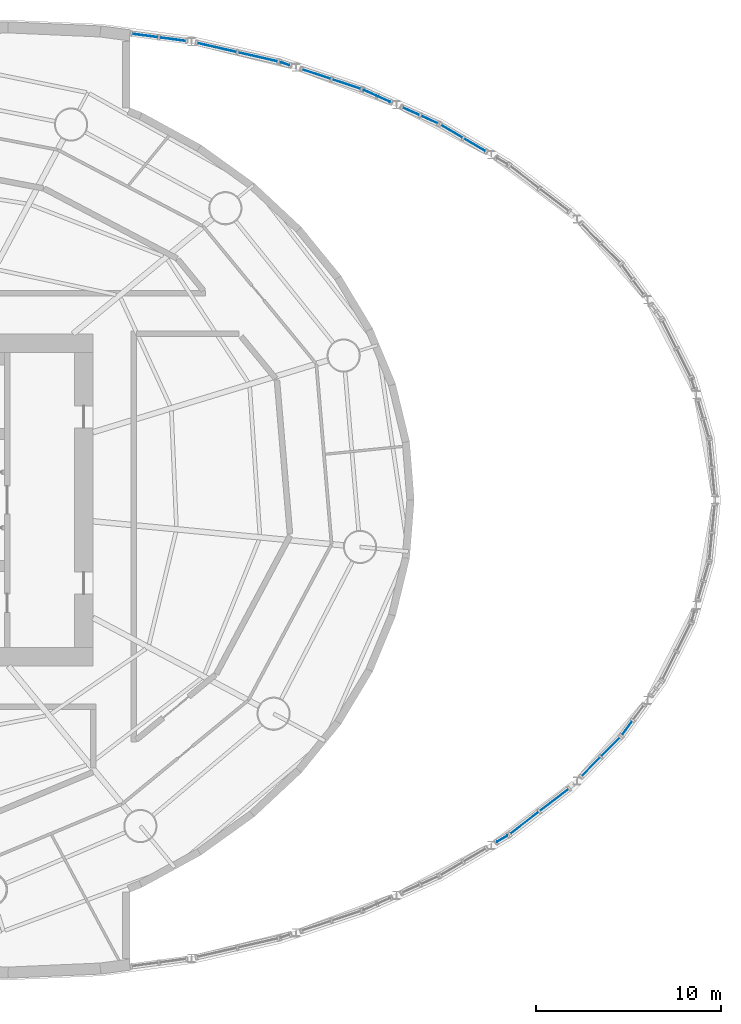
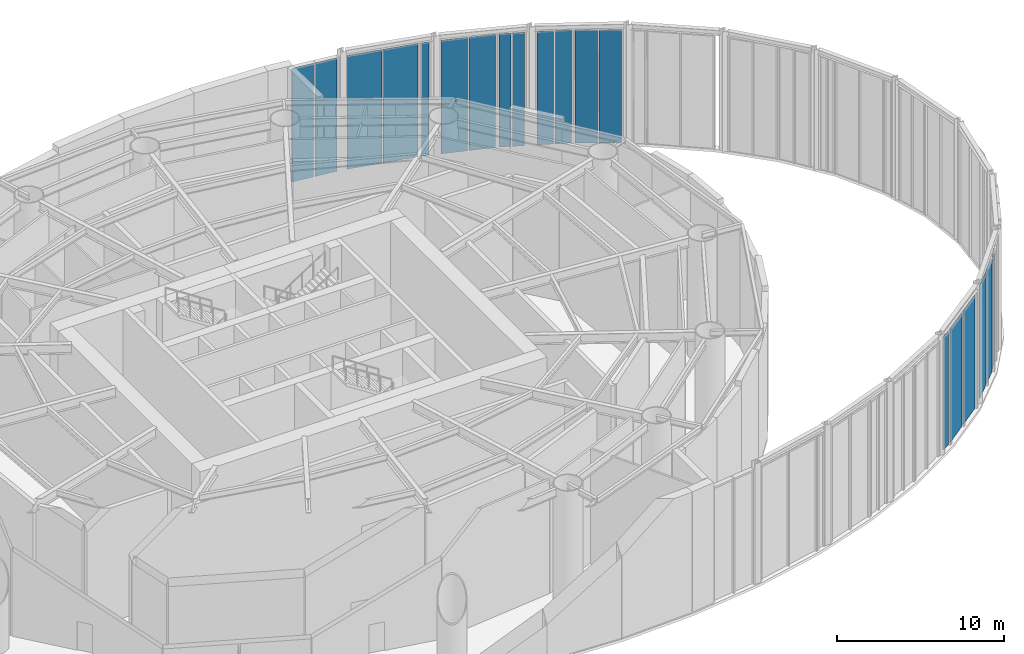
# One storey, part 12 of 19: 19 plates, 11 elements without a shape of their own.
"""IFC4 building model written with IfcOpenShell, lengths in metres."""

import ifcopenshell
import ifcopenshell.guid

model = None  # the IFC model being written
_history = None  # IfcOwnerHistory: only IFC2X3 demands one
_inside = {}  # id of a spatial element -> (the spatial element, [elements in it])
_under = {}  # id of a project, library or spatial element -> (it, [spatial elements below it])
_declared = {}  # id of a project -> (the project, [libraries it declares])
_typed = {}  # id of a type object -> (the type object, [elements of that type])
_made_of = {}  # id of a material, layer set ... -> (it, [elements and type objects made of it])


def new_model(schema):
    """Start an empty IFC model of exactly this schema.

    Asked for "IFC4X3", IfcOpenShell would pick the latest addendum, in which some entities
    have other attributes; the version numbers below select the first issue.
    IFC2X3 requires an IfcOwnerHistory on every rooted entity: one is made here for all.
    """
    global model, _history
    if schema == "IFC4X3":
        model = ifcopenshell.file(schema_version=(4, 3, 0, 0))
    else:
        model = ifcopenshell.file(schema=schema)
    _inside.clear()
    _under.clear()
    _declared.clear()
    _typed.clear()
    _made_of.clear()
    _history = None
    if model.schema == "IFC2X3":
        org = make("IfcOrganization", Name="unknown")
        user = make(
            "IfcPersonAndOrganization",
            ThePerson=make("IfcPerson", FamilyName="unknown"),
            TheOrganization=org,
        )
        app = make(
            "IfcApplication",
            ApplicationDeveloper=org,
            Version="unknown",
            ApplicationFullName="unknown",
            ApplicationIdentifier="unknown",
        )
        _history = make(
            "IfcOwnerHistory",
            OwningUser=user,
            OwningApplication=app,
            ChangeAction="ADDED",
            CreationDate=0,
        )
    return model


def make(cls, **values):
    """One entity of the class cls with the attributes given. An attribute that is None is left unset."""
    return model.create_entity(
        cls, **{name: value for name, value in values.items() if value is not None}
    )


def rooted(cls, **values):
    """An entity with a GlobalId (a new one), such as an element, a storey or a relation."""
    return make(cls, GlobalId=ifcopenshell.guid.new(), OwnerHistory=_history, **values)


def si_unit(unit_type, name, prefix=None):
    """IfcSIUnit, for example si_unit("LENGTHUNIT", "METRE", prefix="MILLI")."""
    return make("IfcSIUnit", UnitType=unit_type, Prefix=prefix, Name=name)


def assignment(units):
    """IfcUnitAssignment: the units of a project."""
    return None if units is None else make("IfcUnitAssignment", Units=units)


def point(xyz):
    """IfcCartesianPoint."""
    return None if xyz is None else make("IfcCartesianPoint", Coordinates=xyz)


def direction(xyz):
    """IfcDirection."""
    return None if xyz is None else make("IfcDirection", DirectionRatios=xyz)


def frame(location, z_axis=None, x_axis=None):
    """IfcAxis2Placement3D, a coordinate frame: its origin and axes. An axis left out is left unset."""
    return make(
        "IfcAxis2Placement3D",
        Location=point(location),
        Axis=direction(z_axis),
        RefDirection=direction(x_axis),
    )


def frame_2d(location, x_axis=None):
    """IfcAxis2Placement2D, a coordinate frame in the plane: its origin and x axis."""
    return make(
        "IfcAxis2Placement2D", Location=point(location), RefDirection=direction(x_axis)
    )


def origin():
    """The frame at (0, 0, 0) with its axes left unset."""
    return frame((0.0, 0.0, 0.0))


def origin_2d():
    """The frame at (0, 0) in the plane with its x axis left unset."""
    return frame_2d((0.0, 0.0))


def place(relative_to, where):
    """IfcLocalPlacement: puts the frame where relative to a parent placement (None: the world)."""
    return make(
        "IfcLocalPlacement", PlacementRelTo=relative_to, RelativePlacement=where
    )


def context(
    kind, dimensions, precision=None, world=None, true_north=None, identifier=None
):
    """IfcGeometricRepresentationContext, for example the 3D "Model" context."""
    return make(
        "IfcGeometricRepresentationContext",
        ContextIdentifier=identifier,
        ContextType=kind,
        CoordinateSpaceDimension=dimensions,
        Precision=precision,
        WorldCoordinateSystem=world,
        TrueNorth=true_north,
    )


def subcontext(parent, identifier, kind, view, scale=None):
    """IfcGeometricRepresentationSubContext, for example "Body" below "Model"."""
    return make(
        "IfcGeometricRepresentationSubContext",
        ContextIdentifier=identifier,
        ContextType=kind,
        ParentContext=parent,
        TargetScale=scale,
        TargetView=view,
    )


def project(units=None, contexts=None):
    """IfcProject with its units and contexts."""
    return rooted(
        "IfcProject",
        Name="project",
        RepresentationContexts=contexts,
        UnitsInContext=assignment(units),
    )


def spatial(cls, under=None, at=None, **own):
    """A site, building, storey or space (cls), placed at a placement, below another one or the project."""
    s = rooted(cls, ObjectPlacement=at, **own)
    if under is not None:
        _under.setdefault(under.id(), (under, []))[1].append(s)
    return s


def profile(cls, at=None, kind="AREA", **sizes):
    """A parametric profile (cls). Its sizes go by their IFC names, for example OverallWidth=200.0."""
    return make(cls, ProfileType=kind, Position=at, **sizes)


def rectangle(**sizes):
    """IfcRectangleProfileDef."""
    return profile("IfcRectangleProfileDef", **sizes)


def extrude(swept, where, along, depth):
    """IfcExtrudedAreaSolid: the profile swept, set in the frame where, extruded along a direction by depth."""
    return make(
        "IfcExtrudedAreaSolid",
        SweptArea=swept,
        Position=where,
        ExtrudedDirection=direction(along),
        Depth=depth,
    )


def shape(context_of_items, identifier, shape_type, items):
    """IfcShapeRepresentation: the items that make up one representation, for example the "Body"."""
    return make(
        "IfcShapeRepresentation",
        ContextOfItems=context_of_items,
        RepresentationIdentifier=identifier,
        RepresentationType=shape_type,
        Items=items,
    )


def material(Name=None, Category=None):
    """IfcMaterial."""
    return make("IfcMaterial", Name=Name, Category=Category)


def layer(
    of_material, thickness, ventilated=None, Name=None, Category=None, Priority=None
):
    """IfcMaterialLayer: one layer of a wall or slab, of a material (None: an air gap)."""
    return make(
        "IfcMaterialLayer",
        Material=of_material,
        LayerThickness=thickness,
        IsVentilated=ventilated,
        Name=Name,
        Category=Category,
        Priority=Priority,
    )


def layer_set(layers, Name=None):
    """IfcMaterialLayerSet."""
    return make("IfcMaterialLayerSet", MaterialLayers=layers, LayerSetName=Name)


def made_of(thing, what):
    """Note that an element or type object is made of a material, layer set ...; save() writes the relation."""
    if what is not None:
        _made_of.setdefault(what.id(), (what, []))[1].append(thing)
    return thing


def type_object(cls, material=None, **own):
    """A type object (cls), such as IfcWallType, which elements share."""
    return made_of(rooted(cls, **own), material)


def element(
    cls,
    number,
    at=None,
    inside=None,
    cuts=None,
    type_object=None,
    material=None,
    context=None,
    identifier="Body",
    shape_type=None,
    held_by="IfcProductDefinitionShape",
    body=None,
    shapes=None,
    **own,
):
    """One element of the class cls, such as IfcWall. Its Tag is "e" and its number.

    at: its placement. inside: the storey or other place that contains it. cuts: it is an
    opening in that element (IfcRelVoidsElement). A single representation is given by context,
    identifier, shape_type and body (its items); several are given by shapes. held_by: the class
    of the entity that holds the representations. save() writes the other relations.
    """
    e = rooted(cls, Tag="e%d" % number, ObjectPlacement=at, **own)
    if body is not None:
        shapes = [shape(context, identifier, shape_type, body)]
    if shapes is not None:
        e.Representation = make(held_by, Representations=shapes)
    if inside is not None:
        _inside.setdefault(inside.id(), (inside, []))[1].append(e)
    if cuts is not None:
        rooted(
            "IfcRelVoidsElement", RelatingBuildingElement=cuts, RelatedOpeningElement=e
        )
    if type_object is not None:
        _typed.setdefault(type_object.id(), (type_object, []))[1].append(e)
    return made_of(e, material)


def aggregate(whole, parts):
    """IfcRelAggregates: a whole, such as a stair, and the parts it consists of."""
    return rooted("IfcRelAggregates", RelatingObject=whole, RelatedObjects=parts)


def save(model, path):
    """Write the relations noted so far, then the file.

    IfcRelAggregates (storeys below a building ...), IfcRelContainedInSpatialStructure (elements
    in a storey), IfcRelDefinesByType, IfcRelAssociatesMaterial and IfcRelDeclares: one each for
    every whole, place, type object, material and project.
    """
    for whole, parts in _under.values():
        aggregate(whole, parts)
    for where, things in _inside.values():
        rooted(
            "IfcRelContainedInSpatialStructure",
            RelatedElements=things,
            RelatingStructure=where,
        )
    for kind, things in _typed.values():
        rooted("IfcRelDefinesByType", RelatedObjects=things, RelatingType=kind)
    for what, things in _made_of.values():
        rooted("IfcRelAssociatesMaterial", RelatedObjects=things, RelatingMaterial=what)
    for by, libraries in _declared.values():
        rooted("IfcRelDeclares", RelatingContext=by, RelatedDefinitions=libraries)
    model.write(path)


model = new_model("IFC4")

# Units and contexts
model_context = context("Model", 3, precision=1e-05, world=origin(), true_north=direction((0.0, 1.0)))
body_context = subcontext(model_context, "Body", "Model", "MODEL_VIEW")
ifc_project = project(units=[si_unit("LENGTHUNIT", "METRE"), si_unit("AREAUNIT", "SQUARE_METRE"), si_unit("VOLUMEUNIT", "CUBIC_METRE"), si_unit("PLANEANGLEUNIT", "RADIAN"), si_unit("MASSUNIT", "GRAM", prefix="KILO")], contexts=[model_context])

# Site, building, storey
site_placement = place(None, origin())
site = spatial("IfcSite", under=ifc_project, at=site_placement, CompositionType="ELEMENT")
building_placement = place(site_placement, origin())
building = spatial("IfcBuilding", under=site, at=building_placement, Name="Vermilion Reach Broadcast Tower", CompositionType="ELEMENT")
storey_placement = place(building_placement, frame((0.0, 0.0, 17.0)))
storey = spatial("IfcBuildingStorey", under=building, at=storey_placement, Name="L02", CompositionType="ELEMENT", Elevation=17.0)

# Curtain wall, plate
ifc_material_1 = material(Name="Low-e laminated clear glass in aluminium frame", Category="aluminium")
curtain_wall_type = type_object("IfcCurtainWallType", Name="Atrium outer wall curtain wall", PredefinedType="NOTDEFINED", material=ifc_material_1)
placement = place(storey_placement, origin())
curtain_wall_1 = element("IfcCurtainWall", 1, at=placement, inside=storey, type_object=curtain_wall_type, Name="Atrium wall L02 05-2", PredefinedType="NOTDEFINED")
ifc_material_2 = material(Name="Low-e laminated clear glass", Category="glass")
ifc_layer = layer(ifc_material_2, 0.035888671875)
ifc_layer_set = layer_set([ifc_layer], Name="Atrium outer wall glass panel")
plate_type = type_object("IfcPlateType", Name="Atrium outer wall glass panel", PredefinedType="CURTAIN_PANEL", material=ifc_layer_set)
plate_1_placement = place(storey_placement, frame((28.166748046875, -18.348876953125, 0.0), z_axis=(0.0, 0.0, 1.0), x_axis=(0.861009057017, 0.508589622127, 0.0)))
plate_1 = element("IfcPlate", 2, at=plate_1_placement, type_object=plate_type, Name="Atrium wall glass panel L02 05-2.1.1", PredefinedType="CURTAIN_PANEL", context=body_context, shape_type="SweptSolid", body=[
    extrude(rectangle(XDim=0.636474609375, YDim=0.035888671875, at=origin_2d()), origin(), (0.0, 0.0, 1.0), 8.2900390625),
])
aggregate(curtain_wall_1, [plate_1])

# Curtain wall, plates
curtain_wall_2 = element("IfcCurtainWall", 3, at=placement, inside=storey, type_object=curtain_wall_type, Name="Atrium wall L02 06", PredefinedType="NOTDEFINED")
plate_2_placement = place(storey_placement, frame((29.37158203125, -17.4873046875, 0.0), z_axis=(0.0, 0.0, 1.0), x_axis=(0.793082736826, 0.609113924113, 0.0)))
plate_2 = element("IfcPlate", 4, at=plate_2_placement, type_object=plate_type, Name="Atrium wall glass panel L02 06.1.1", PredefinedType="CURTAIN_PANEL", context=body_context, shape_type="SweptSolid", body=[
    extrude(rectangle(XDim=1.9296875, YDim=0.035888671875, at=origin_2d()), origin(), (0.0, 0.0, 1.0), 8.2900390625),
])
plate_3_placement = place(storey_placement, frame((30.981201171875, -16.2509765625, 0.0), z_axis=(0.0, 0.0, 1.0), x_axis=(0.793082736826, 0.609113924113, 0.0)))
plate_3 = element("IfcPlate", 5, at=plate_3_placement, type_object=plate_type, Name="Atrium wall glass panel L02 06.2.1", PredefinedType="CURTAIN_PANEL", context=body_context, shape_type="SweptSolid", body=[
    extrude(rectangle(XDim=1.9296875, YDim=0.035888671875, at=origin_2d()), origin(), (0.0, 0.0, 1.0), 8.2900390625),
])
aggregate(curtain_wall_2, [plate_2, plate_3])

curtain_wall_3 = element("IfcCurtainWall", 6, at=placement, inside=storey, type_object=curtain_wall_type, Name="Atrium wall L02 07", PredefinedType="NOTDEFINED")
plate_4_placement = place(storey_placement, frame((32.971435546875, -14.447509765625, 0.0), z_axis=(0.0, 0.0, 1.0), x_axis=(0.704276337997, 0.709925939614, 0.0)))
plate_4 = element("IfcPlate", 7, at=plate_4_placement, type_object=plate_type, Name="Atrium wall glass panel L02 07.1.1", PredefinedType="CURTAIN_PANEL", context=body_context, shape_type="SweptSolid", body=[
    extrude(rectangle(XDim=1.4091796875, YDim=0.035888671875, at=origin_2d()), origin(), (0.0, 0.0, 1.0), 8.2900390625),
])
plate_5_placement = place(storey_placement, frame((34.034423828125, -13.3759765625, 0.0), z_axis=(0.0, 0.0, 1.0), x_axis=(0.704276337997, 0.709925939614, 0.0)))
plate_5 = element("IfcPlate", 8, at=plate_5_placement, type_object=plate_type, Name="Atrium wall glass panel L02 07.2.1", PredefinedType="CURTAIN_PANEL", context=body_context, shape_type="SweptSolid", body=[
    extrude(rectangle(XDim=1.4091796875, YDim=0.035888671875, at=origin_2d()), origin(), (0.0, 0.0, 1.0), 8.2900390625),
])
aggregate(curtain_wall_3, [plate_4, plate_5])

# Curtain wall, plate
curtain_wall_4 = element("IfcCurtainWall", 9, at=placement, inside=storey, type_object=curtain_wall_type, Name="Atrium wall L02 08-1", PredefinedType="NOTDEFINED")
plate_6_placement = place(storey_placement, frame((34.93359375, -12.3505859375, 0.0), z_axis=(0.0, 0.0, 1.0), x_axis=(0.590759824697, 0.806847463604, 0.0)))
plate_6 = element("IfcPlate", 10, at=plate_6_placement, type_object=plate_type, Name="Atrium wall glass panel L02 08-1.1.1", PredefinedType="CURTAIN_PANEL", context=body_context, shape_type="SweptSolid", body=[
    extrude(rectangle(XDim=0.92578125, YDim=0.035888671875, at=origin_2d()), origin(), (0.0, 0.0, 1.0), 8.2900390625),
])
aggregate(curtain_wall_4, [plate_6])

# Curtain wall, plates
curtain_wall_5 = element("IfcCurtainWall", 11, at=placement, inside=storey, type_object=curtain_wall_type, Name="Atrium wall L02 18-2", PredefinedType="NOTDEFINED")
plate_7_placement = place(storey_placement, frame((26.669677734375, 19.233154296875, 0.0), z_axis=(0.0, 0.0, 1.0), x_axis=(-0.861009057017, 0.508589622127, 0.0)))
plate_7 = element("IfcPlate", 12, at=plate_7_placement, type_object=plate_type, Name="Atrium wall glass panel L02 18-2.1.1", PredefinedType="CURTAIN_PANEL", context=body_context, shape_type="SweptSolid", body=[
    extrude(rectangle(XDim=1.344970703125, YDim=0.035888671875, at=origin_2d()), origin(), (0.0, 0.0, 1.0), 8.2900390625),
])
plate_8_placement = place(storey_placement, frame((25.42578125, 19.968017578125, 0.0), z_axis=(0.0, 0.0, 1.0), x_axis=(-0.861009057017, 0.508589622127, 0.0)))
plate_8 = element("IfcPlate", 13, at=plate_8_placement, type_object=plate_type, Name="Atrium wall glass panel L02 18-2.2.1", PredefinedType="CURTAIN_PANEL", context=body_context, shape_type="SweptSolid", body=[
    extrude(rectangle(XDim=1.344970703125, YDim=0.035888671875, at=origin_2d()), origin(), (0.0, 0.0, 1.0), 8.2900390625),
])
aggregate(curtain_wall_5, [plate_7, plate_8])

curtain_wall_6 = element("IfcCurtainWall", 14, at=placement, inside=storey, type_object=curtain_wall_type, Name="Atrium wall L02 19-1", PredefinedType="NOTDEFINED")
plate_9_placement = place(storey_placement, frame((24.218017578125, 20.60498046875, 0.0), z_axis=(0.0, 0.0, 1.0), x_axis=(-0.911902064418, 0.410407876277, 0.0)))
plate_9 = element("IfcPlate", 15, at=plate_9_placement, type_object=plate_type, Name="Atrium wall glass panel L02 19-1.1.1", PredefinedType="CURTAIN_PANEL", context=body_context, shape_type="SweptSolid", body=[
    extrude(rectangle(XDim=0.990234375, YDim=0.035888671875, at=origin_2d()), origin(), (0.0, 0.0, 1.0), 8.2900390625),
])
plate_10_placement = place(storey_placement, frame((23.223876953125, 21.052490234375, 0.0), z_axis=(0.0, 0.0, 1.0), x_axis=(-0.911902064418, 0.410407876277, 0.0)))
plate_10 = element("IfcPlate", 16, at=plate_10_placement, type_object=plate_type, Name="Atrium wall glass panel L02 19-1.2.1", PredefinedType="CURTAIN_PANEL", context=body_context, shape_type="SweptSolid", body=[
    extrude(rectangle(XDim=0.990234375, YDim=0.035888671875, at=origin_2d()), origin(), (0.0, 0.0, 1.0), 8.2900390625),
])
aggregate(curtain_wall_6, [plate_9, plate_10])

curtain_wall_7 = element("IfcCurtainWall", 17, at=placement, inside=storey, type_object=curtain_wall_type, Name="Atrium wall L02 19-2", PredefinedType="NOTDEFINED")
plate_11_placement = place(storey_placement, frame((21.76123046875, 21.710693359375, 0.0), z_axis=(0.0, 0.0, 1.0), x_axis=(-0.911902064418, 0.410407876277, 0.0)))
plate_11 = element("IfcPlate", 18, at=plate_11_placement, type_object=plate_type, Name="Atrium wall glass panel L02 19-2.1.1", PredefinedType="CURTAIN_PANEL", context=body_context, shape_type="SweptSolid", body=[
    extrude(rectangle(XDim=0.721923828125, YDim=0.035888671875, at=origin_2d()), origin(), (0.0, 0.0, 1.0), 8.2900390625),
])
plate_12_placement = place(storey_placement, frame((21.01171875, 22.048095703125, 0.0), z_axis=(0.0, 0.0, 1.0), x_axis=(-0.911902064418, 0.410407876277, 0.0)))
plate_12 = element("IfcPlate", 19, at=plate_12_placement, type_object=plate_type, Name="Atrium wall glass panel L02 19-2.2.1", PredefinedType="CURTAIN_PANEL", context=body_context, shape_type="SweptSolid", body=[
    extrude(rectangle(XDim=0.721923828125, YDim=0.035888671875, at=origin_2d()), origin(), (0.0, 0.0, 1.0), 8.2900390625),
])
aggregate(curtain_wall_7, [plate_11, plate_12])

curtain_wall_8 = element("IfcCurtainWall", 20, at=placement, inside=storey, type_object=curtain_wall_type, Name="Atrium wall L02 20-1", PredefinedType="NOTDEFINED")
plate_13_placement = place(storey_placement, frame((19.73095703125, 22.52294921875, 0.0), z_axis=(0.0, 0.0, 1.0), x_axis=(-0.949015935462, 0.315228098746, 0.0)))
plate_13 = element("IfcPlate", 21, at=plate_13_placement, type_object=plate_type, Name="Atrium wall glass panel L02 20-1.1.1", PredefinedType="CURTAIN_PANEL", context=body_context, shape_type="SweptSolid", body=[
    extrude(rectangle(XDim=1.61328125, YDim=0.035888671875, at=origin_2d()), origin(), (0.0, 0.0, 1.0), 8.2900390625),
])
plate_14_placement = place(storey_placement, frame((18.10498046875, 23.06298828125, 0.0), z_axis=(0.0, 0.0, 1.0), x_axis=(-0.949015935462, 0.315228098746, 0.0)))
plate_14 = element("IfcPlate", 22, at=plate_14_placement, type_object=plate_type, Name="Atrium wall glass panel L02 20-1.2.1", PredefinedType="CURTAIN_PANEL", context=body_context, shape_type="SweptSolid", body=[
    extrude(rectangle(XDim=1.61328125, YDim=0.035888671875, at=origin_2d()), origin(), (0.0, 0.0, 1.0), 8.2900390625),
])
aggregate(curtain_wall_8, [plate_13, plate_14])

# Curtain wall, plate
curtain_wall_9 = element("IfcCurtainWall", 23, at=placement, inside=storey, type_object=curtain_wall_type, Name="Atrium wall L02 20-2", PredefinedType="NOTDEFINED")
plate_15_placement = place(storey_placement, frame((16.40771484375, 23.626708984375, 0.0), z_axis=(0.0, 0.0, 1.0), x_axis=(-0.949015935462, 0.315228098746, 0.0)))
plate_15 = element("IfcPlate", 24, at=plate_15_placement, type_object=plate_type, Name="Atrium wall glass panel L02 20-2.1.1", PredefinedType="CURTAIN_PANEL", context=body_context, shape_type="SweptSolid", body=[
    extrude(rectangle(XDim=0.467529296875, YDim=0.035888671875, at=origin_2d()), origin(), (0.0, 0.0, 1.0), 8.2900390625),
])
aggregate(curtain_wall_9, [plate_15])

# Curtain wall, plates
curtain_wall_10 = element("IfcCurtainWall", 25, at=placement, inside=storey, type_object=curtain_wall_type, Name="Atrium wall L02 21", PredefinedType="NOTDEFINED")
plate_16_placement = place(storey_placement, frame((14.930419921875, 23.997314453125, 0.0), z_axis=(0.0, 0.0, 1.0), x_axis=(-0.974843253478, 0.222891523278, 0.0)))
plate_16 = element("IfcPlate", 26, at=plate_16_placement, type_object=plate_type, Name="Atrium wall glass panel L02 21.1.1", PredefinedType="CURTAIN_PANEL", context=body_context, shape_type="SweptSolid", body=[
    extrude(rectangle(XDim=2.18115234375, YDim=0.035888671875, at=origin_2d()), origin(), (0.0, 0.0, 1.0), 8.2900390625),
])
plate_17_placement = place(storey_placement, frame((12.70654296875, 24.505859375, 0.0), z_axis=(0.0, 0.0, 1.0), x_axis=(-0.974843253478, 0.222891523278, 0.0)))
plate_17 = element("IfcPlate", 27, at=plate_17_placement, type_object=plate_type, Name="Atrium wall glass panel L02 21.2.1", PredefinedType="CURTAIN_PANEL", context=body_context, shape_type="SweptSolid", body=[
    extrude(rectangle(XDim=2.18115234375, YDim=0.035888671875, at=origin_2d()), origin(), (0.0, 0.0, 1.0), 8.2900390625),
])
aggregate(curtain_wall_10, [plate_16, plate_17])

curtain_wall_11 = element("IfcCurtainWall", 28, at=placement, inside=storey, type_object=curtain_wall_type, Name="Atrium wall L02 22", PredefinedType="NOTDEFINED")
plate_18_placement = place(storey_placement, frame((10.322265625, 24.954833984375, 0.0), z_axis=(0.0, 0.0, 1.0), x_axis=(-0.991143697753, 0.132793713723, 0.0)))
plate_18 = element("IfcPlate", 29, at=plate_18_placement, type_object=plate_type, Name="Atrium wall glass panel L02 22.1.1", PredefinedType="CURTAIN_PANEL", context=body_context, shape_type="SweptSolid", body=[
    extrude(rectangle(XDim=1.419921875, YDim=0.035888671875, at=origin_2d()), origin(), (0.0, 0.0, 1.0), 8.2900390625),
])
plate_19_placement = place(storey_placement, frame((8.81591796875, 25.15673828125, 0.0), z_axis=(0.0, 0.0, 1.0), x_axis=(-0.991143697753, 0.132793713723, 0.0)))
plate_19 = element("IfcPlate", 30, at=plate_19_placement, type_object=plate_type, Name="Atrium wall glass panel L02 22.2.1", PredefinedType="CURTAIN_PANEL", context=body_context, shape_type="SweptSolid", body=[
    extrude(rectangle(XDim=1.419921875, YDim=0.035888671875, at=origin_2d()), origin(), (0.0, 0.0, 1.0), 8.2900390625),
])
aggregate(curtain_wall_11, [plate_18, plate_19])

save(model, "model.ifc")
